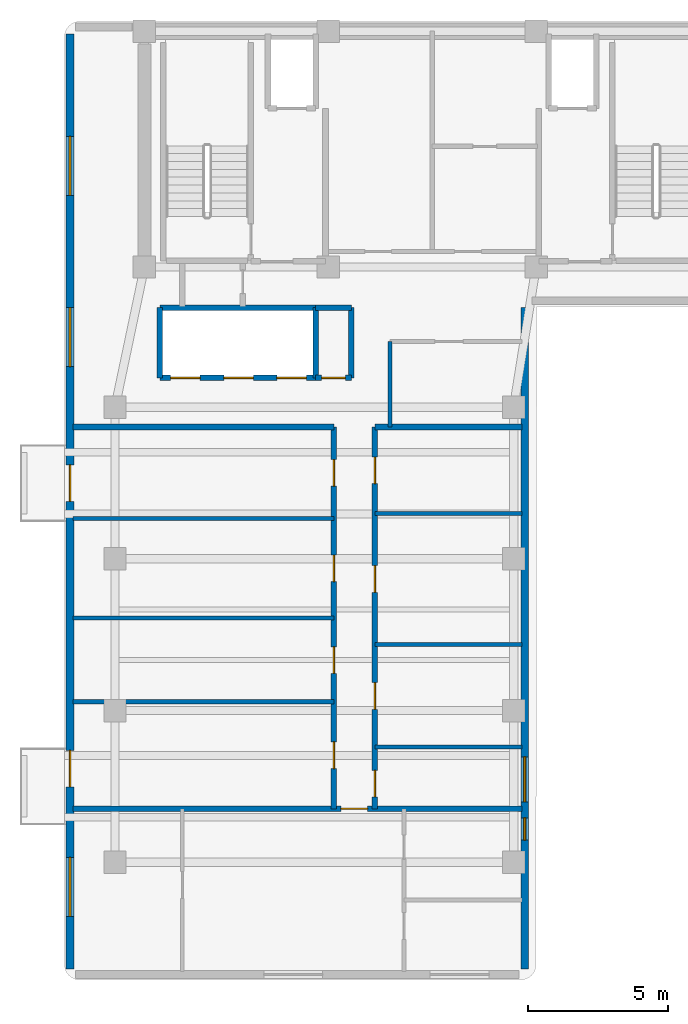
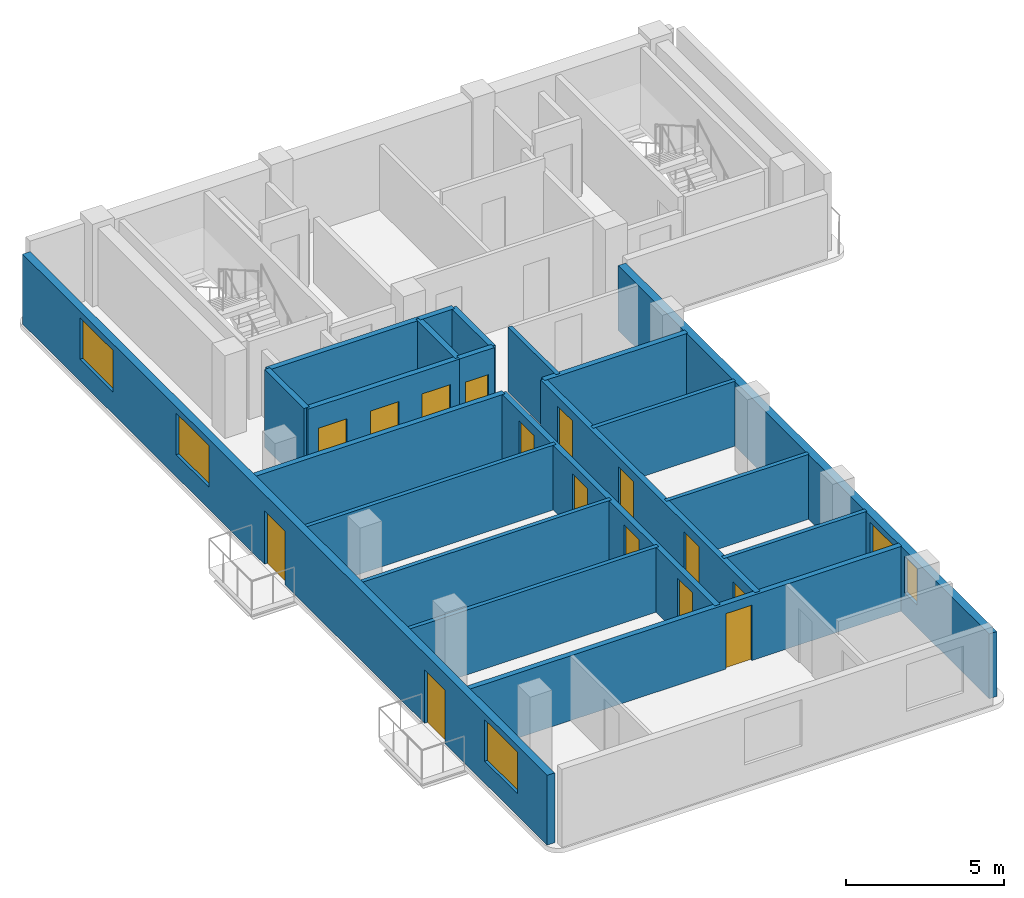
# One storey, part 2 of 5: 21 walls, 15 doors, 5 windows, 20 openings.
"""IFC4 building model written with IfcOpenShell, lengths in metres."""

from ifc_helpers import new_model, si_unit, direction, frame, frame_2d, origin, place, context, subcontext, project, spatial, rectangle, extrude, material, layer, layer_set, type_object, element, fill, save


model = new_model("IFC4")

# Units and contexts
model_context = context("Model", 3, precision=1e-05, world=origin(), true_north=direction((0.0, 1.0)))
body_context = subcontext(model_context, "Body", "Model", "MODEL_VIEW")
ifc_project = project(units=[si_unit("LENGTHUNIT", "METRE"), si_unit("AREAUNIT", "SQUARE_METRE"), si_unit("VOLUMEUNIT", "CUBIC_METRE"), si_unit("PLANEANGLEUNIT", "RADIAN"), si_unit("MASSUNIT", "GRAM", prefix="KILO")], contexts=[model_context])

# Site, building, storey
site_placement = place(None, origin())
site = spatial("IfcSite", under=ifc_project, at=site_placement, CompositionType="ELEMENT")
building_placement = place(site_placement, origin())
building = spatial("IfcBuilding", under=site, at=building_placement, Name="Kuzgunbayir Cultural Tower", CompositionType="ELEMENT")
storey_placement = place(building_placement, frame((0.0, 0.0, 228.0)))
storey = spatial("IfcBuildingStorey", under=building, at=storey_placement, Name="L67", CompositionType="ELEMENT", Elevation=228.0)

# Wall, openings, doors, windows
ifc_material_1 = material(Name="Anatolian Cream Limestone", Category="masonry")
ifc_layer_1 = layer(ifc_material_1, 0.280029296875)
ifc_layer_set_1 = layer_set([ifc_layer_1], Name="Anatolian Cream Limestone")
wall_type_1 = type_object("IfcWallType", Name="WAL-EXT-STONE-280", PredefinedType="STANDARD", material=ifc_layer_set_1)
wall_1_placement = place(storey_placement, frame((3.800048828125, 42.10009765625, 0.0), z_axis=(0.0, 0.0, 1.0), x_axis=(0.0, -1.0, 0.0)))
wall_1 = element("IfcWall", 1, at=wall_1_placement, inside=storey, type_object=wall_type_1, Name="L67 Wing A West Limestone Wall", PredefinedType="STANDARD", context=body_context, shape_type="SweptSolid", body=[
    extrude(rectangle(XDim=33.300048828125, YDim=0.280029296875, at=frame_2d((16.64990234375, 0.0))), origin(), (0.0, 0.0, 1.0), 2.7099609375),
])
opening_1_placement = place(wall_1_placement, frame((25.52001953125, 0.0, 0.0)))
opening_1 = element("IfcOpeningElement", 2, at=opening_1_placement, cuts=wall_1, Name="Opening BD-13", PredefinedType="OPENING", context=body_context, shape_type="SweptSolid", body=[
    extrude(rectangle(XDim=1.300048828125, YDim=2.080078125, at=frame_2d((0.64990234375, 1.0400390625))), frame((0.0, 0.14990234375, 0.0), z_axis=(0.0, -1.0, 0.0), x_axis=(1.0, 0.0, 0.0)), (0.0, 0.0, 1.0), 0.300048828125),
])
opening_2_placement = place(wall_1_placement, frame((15.35009765625, 0.0, 0.0)))
opening_2 = element("IfcOpeningElement", 3, at=opening_2_placement, cuts=wall_1, Name="Opening BD-13", PredefinedType="OPENING", context=body_context, shape_type="SweptSolid", body=[
    extrude(rectangle(XDim=1.300048828125, YDim=2.080078125, at=frame_2d((0.64990234375, 1.0400390625))), frame((0.0, 0.14990234375, 0.0), z_axis=(0.0, -1.0, 0.0), x_axis=(1.0, 0.0, 0.0)), (0.0, 0.0, 1.0), 0.300048828125),
])
opening_3_placement = place(wall_1_placement, frame((29.330078125, 0.0, 0.85009765625)))
opening_3 = element("IfcOpeningElement", 4, at=opening_3_placement, cuts=wall_1, Name="Opening WR-21", PredefinedType="OPENING", context=body_context, shape_type="SweptSolid", body=[
    extrude(rectangle(XDim=2.10009765625, YDim=1.610107421875, at=frame_2d((1.050048828125, 0.80517578125))), frame((0.0, 0.14990234375, 0.0), z_axis=(0.0, -1.0, 0.0), x_axis=(1.0, 0.0, 0.0)), (0.0, 0.0, 1.0), 0.300048828125),
])
opening_4_placement = place(wall_1_placement, frame((9.75, 0.0, 0.85009765625)))
opening_4 = element("IfcOpeningElement", 5, at=opening_4_placement, cuts=wall_1, Name="Opening WR-21", PredefinedType="OPENING", context=body_context, shape_type="SweptSolid", body=[
    extrude(rectangle(XDim=2.10009765625, YDim=1.610107421875, at=frame_2d((1.050048828125, 0.80517578125))), frame((0.0, 0.14990234375, 0.0), z_axis=(0.0, -1.0, 0.0), x_axis=(1.0, 0.0, 0.0)), (0.0, 0.0, 1.0), 0.300048828125),
])
opening_5_placement = place(wall_1_placement, frame((3.64990234375, 0.0, 0.85009765625)))
opening_5 = element("IfcOpeningElement", 6, at=opening_5_placement, cuts=wall_1, Name="Opening WR-21", PredefinedType="OPENING", context=body_context, shape_type="SweptSolid", body=[
    extrude(rectangle(XDim=2.10009765625, YDim=1.610107421875, at=frame_2d((1.050048828125, 0.80517578125))), frame((0.0, 0.14990234375, 0.0), z_axis=(0.0, -1.0, 0.0), x_axis=(1.0, 0.0, 0.0)), (0.0, 0.0, 1.0), 0.300048828125),
])
ifc_material_2 = material(Name="Thermally Broken Glazed Aluminium", Category="aluminium")
door_type_1 = type_object("IfcDoorType", Name="DR-BALCONY-135", OperationType="SLIDING_TO_LEFT", PredefinedType="DOOR", material=ifc_material_2)
door_1_placement = place(opening_1_placement, origin())
door_1 = element("IfcDoor", 7, at=door_1_placement, inside=storey, type_object=door_type_1, Name="L67 West Balcony Sliding Door BAL-L67-WA1", OperationType="SLIDING_TO_LEFT", OverallHeight=2.080078125, OverallWidth=1.300048828125, PredefinedType="DOOR", context=body_context, shape_type="SweptSolid", body=[
    extrude(rectangle(XDim=1.300048828125, YDim=2.080078125, at=frame_2d((0.64990234375, 1.0400390625))), frame((0.0, 0.02490234375, 0.0), z_axis=(0.0, -1.0, 0.0), x_axis=(1.0, 0.0, 0.0)), (0.0, 0.0, 1.0), 0.050048828125),
])
fill(opening_1, door_1)
door_2_placement = place(opening_2_placement, origin())
door_2 = element("IfcDoor", 8, at=door_2_placement, inside=storey, type_object=door_type_1, Name="L67 West Balcony Sliding Door BAL-L67-WA3", OperationType="SLIDING_TO_LEFT", OverallHeight=2.080078125, OverallWidth=1.300048828125, PredefinedType="DOOR", context=body_context, shape_type="SweptSolid", body=[
    extrude(rectangle(XDim=1.300048828125, YDim=2.080078125, at=frame_2d((0.64990234375, 1.0400390625))), frame((0.0, 0.02490234375, 0.0), z_axis=(0.0, -1.0, 0.0), x_axis=(1.0, 0.0, 0.0)), (0.0, 0.0, 1.0), 0.050048828125),
])
fill(opening_2, door_2)
ifc_material_3 = material(Name="Solar-Control Triple Glazing", Category="glass")
window_type_1 = type_object("IfcWindowType", Name="WIN-RESID-21", PartitioningType="SINGLE_PANEL", PredefinedType="WINDOW", material=ifc_material_3)
window_1_placement = place(opening_3_placement, origin())
window_1 = element("IfcWindow", 9, at=window_1_placement, inside=storey, type_object=window_type_1, Name="L67 WAW Facade Window 1", OverallHeight=1.610107421875, OverallWidth=2.10009765625, PartitioningType="SINGLE_PANEL", PredefinedType="WINDOW", context=body_context, shape_type="SweptSolid", body=[
    extrude(rectangle(XDim=2.10009765625, YDim=1.610107421875, at=frame_2d((1.050048828125, 0.80517578125))), frame((0.0, 0.030029296875, 0.0), z_axis=(0.0, -1.0, 0.0), x_axis=(1.0, 0.0, 0.0)), (0.0, 0.0, 1.0), 0.06005859375),
])
fill(opening_3, window_1)
window_2_placement = place(opening_4_placement, origin())
window_2 = element("IfcWindow", 10, at=window_2_placement, inside=storey, type_object=window_type_1, Name="L67 WAW Facade Window 5", OverallHeight=1.610107421875, OverallWidth=2.10009765625, PartitioningType="SINGLE_PANEL", PredefinedType="WINDOW", context=body_context, shape_type="SweptSolid", body=[
    extrude(rectangle(XDim=2.10009765625, YDim=1.610107421875, at=frame_2d((1.050048828125, 0.80517578125))), frame((0.0, 0.030029296875, 0.0), z_axis=(0.0, -1.0, 0.0), x_axis=(1.0, 0.0, 0.0)), (0.0, 0.0, 1.0), 0.06005859375),
])
fill(opening_4, window_2)
window_3_placement = place(opening_5_placement, origin())
window_3 = element("IfcWindow", 11, at=window_3_placement, inside=storey, type_object=window_type_1, Name="L67 WAW Facade Window 6", OverallHeight=1.610107421875, OverallWidth=2.10009765625, PartitioningType="SINGLE_PANEL", PredefinedType="WINDOW", context=body_context, shape_type="SweptSolid", body=[
    extrude(rectangle(XDim=2.10009765625, YDim=1.610107421875, at=frame_2d((1.050048828125, 0.80517578125))), frame((0.0, 0.030029296875, 0.0), z_axis=(0.0, -1.0, 0.0), x_axis=(1.0, 0.0, 0.0)), (0.0, 0.0, 1.0), 0.06005859375),
])
fill(opening_5, window_3)

# Wall, openings, windows
wall_2_placement = place(storey_placement, frame((20.0, 8.800048828125, 0.0), z_axis=(0.0, 0.0, 1.0), x_axis=(0.0, 1.0, 0.0)))
wall_2 = element("IfcWall", 12, at=wall_2_placement, inside=storey, type_object=wall_type_1, Name="L67 Wing A East Limestone Wall", PredefinedType="STANDARD", context=body_context, shape_type="SweptSolid", body=[
    extrude(rectangle(XDim=23.550048828125, YDim=0.280029296875, at=frame_2d((11.77490234375, 0.0))), origin(), (0.0, 0.0, 1.0), 2.510009765625),
])
opening_6_placement = place(wall_2_placement, frame((4.580078125, 0.0, 0.85009765625)))
opening_6 = element("IfcOpeningElement", 13, at=opening_6_placement, cuts=wall_2, Name="Opening WN-08", PredefinedType="OPENING", context=body_context, shape_type="SweptSolid", body=[
    extrude(rectangle(XDim=0.800048828125, YDim=1.409912109375, at=frame_2d((0.39990234375, 0.705078125))), frame((0.0, 0.14990234375, 0.0), z_axis=(0.0, -1.0, 0.0), x_axis=(1.0, 0.0, 0.0)), (0.0, 0.0, 1.0), 0.300048828125),
])
opening_7_placement = place(wall_2_placement, frame((5.949951171875, 0.0, 0.85009765625)))
opening_7 = element("IfcOpeningElement", 14, at=opening_7_placement, cuts=wall_2, Name="Opening WC-16", PredefinedType="OPENING", context=body_context, shape_type="SweptSolid", body=[
    extrude(rectangle(XDim=1.60009765625, YDim=1.409912109375, at=frame_2d((0.800048828125, 0.705078125))), frame((0.0, 0.14990234375, 0.0), z_axis=(0.0, -1.0, 0.0), x_axis=(1.0, 0.0, 0.0)), (0.0, 0.0, 1.0), 0.300048828125),
])
window_type_2 = type_object("IfcWindowType", Name="WIN-COMP-16", PartitioningType="SINGLE_PANEL", PredefinedType="WINDOW", material=ifc_material_3)
window_4_placement = place(opening_7_placement, origin())
window_4 = element("IfcWindow", 15, at=window_4_placement, inside=storey, type_object=window_type_2, Name="L67 WAE Facade Window 7", OverallHeight=1.409912109375, OverallWidth=1.60009765625, PartitioningType="SINGLE_PANEL", PredefinedType="WINDOW", context=body_context, shape_type="SweptSolid", body=[
    extrude(rectangle(XDim=1.60009765625, YDim=1.409912109375, at=frame_2d((0.800048828125, 0.705078125))), frame((0.0, 0.030029296875, 0.0), z_axis=(0.0, -1.0, 0.0), x_axis=(1.0, 0.0, 0.0)), (0.0, 0.0, 1.0), 0.06005859375),
])
fill(opening_7, window_4)
window_type_3 = type_object("IfcWindowType", Name="WIN-NARROW-80", PartitioningType="SINGLE_PANEL", PredefinedType="WINDOW", material=ifc_material_3)
window_5_placement = place(opening_6_placement, origin())
window_5 = element("IfcWindow", 16, at=window_5_placement, inside=storey, type_object=window_type_3, Name="L67 WAE Facade Window 4", OverallHeight=1.409912109375, OverallWidth=0.800048828125, PartitioningType="SINGLE_PANEL", PredefinedType="WINDOW", context=body_context, shape_type="SweptSolid", body=[
    extrude(rectangle(XDim=0.800048828125, YDim=1.409912109375, at=frame_2d((0.39990234375, 0.705078125))), frame((0.0, 0.030029296875, 0.0), z_axis=(0.0, -1.0, 0.0), x_axis=(1.0, 0.0, 0.0)), (0.0, 0.0, 1.0), 0.06005859375),
])
fill(opening_6, window_5)

# Walls
ifc_material_4 = material(Name="Acoustic Double-Stud Drywall", Category="gypsum")
ifc_layer_2 = layer(ifc_material_4, 0.14990234375)
ifc_layer_set_2 = layer_set([ifc_layer_2], Name="Acoustic Double-Stud Drywall")
wall_type_2 = type_object("IfcWallType", Name="WAL-PART-ACOUSTIC-150", PredefinedType="PARTITIONING", material=ifc_layer_set_2)
wall_3_placement = place(storey_placement, frame((15.199951171875, 28.10009765625, 0.0), z_axis=(0.0, 0.0, 1.0), x_axis=(0.0, 1.0, 0.0)))
element("IfcWall", 17, at=wall_3_placement, inside=storey, type_object=wall_type_2, Name="L67 Central Sky Salon West Wall", PredefinedType="PARTITIONING", context=body_context, shape_type="SweptSolid", body=[
    extrude(rectangle(XDim=3.0498046875, YDim=0.14990234375, at=frame_2d((1.52490234375, 0.0))), origin(), (0.0, 0.0, 1.0), 2.510009765625),
])
for number, where, z_axis, x_axis, name in (
    (18, (3.89990234375, 18.31005859375, 0.0), (0.0, 0.0, 1.0), (1.0, 0.0, 0.0), "L67 West Study Partition 1"),
    (19, (3.89990234375, 21.300048828125, 0.0), (0.0, 0.0, 1.0), (1.0, 0.0, 0.0), "L67 West Study Partition 2"),
    (20, (3.89990234375, 24.840087890625, 0.0), (0.0, 0.0, 1.0), (1.0, 0.0, 0.0), "L67 West Study Partition 3"),
):
    element("IfcWall", number, at=place(storey_placement, frame(where, z_axis=z_axis, x_axis=x_axis)), inside=storey, type_object=wall_type_2, Name=name, PredefinedType="PARTITIONING", context=body_context, shape_type="SweptSolid", body=[
        extrude(rectangle(XDim=9.300048828125, YDim=0.14990234375, at=frame_2d((4.64990234375, 0.0))), origin(), (0.0, 0.0, 1.0), 2.510009765625),
    ])
for number, where, z_axis, x_axis, name in (
    (21, (14.659912109375, 20.35009765625, 0.0), (0.0, 0.0, 1.0), (1.0, 0.0, 0.0), "L67 East Divider 1"),
    (22, (14.659912109375, 25.02001953125, 0.0), (0.0, 0.0, 1.0), (1.0, 0.0, 0.0), "L67 East Divider 2"),
):
    element("IfcWall", number, at=place(storey_placement, frame(where, z_axis=z_axis, x_axis=x_axis)), inside=storey, type_object=wall_type_2, Name=name, PredefinedType="PARTITIONING", context=body_context, shape_type="SweptSolid", body=[
        extrude(rectangle(XDim=5.239990234375, YDim=0.14990234375, at=frame_2d((2.6201171875, 0.0))), origin(), (0.0, 0.0, 1.0), 2.510009765625),
    ])

# Wall, opening, door
ifc_material_5 = material(Name="Aerated Concrete Blockwork", Category="masonry")
ifc_layer_3 = layer(ifc_material_5, 0.199951171875)
ifc_layer_set_3 = layer_set([ifc_layer_3], Name="Aerated Concrete Blockwork")
wall_type_3 = type_object("IfcWallType", Name="WAL-PART-FIRE-200", PredefinedType="PARTITIONING", material=ifc_layer_set_3)
wall_4_placement = place(storey_placement, frame((12.550048828125, 29.85009765625, 0.0), z_axis=(0.0, 0.0, 1.0), x_axis=(1.0, 0.0, 0.0)))
wall_4 = element("IfcWall", 23, at=wall_4_placement, inside=storey, type_object=wall_type_3, Name="L67 Center Core Switchgear South Wall", PredefinedType="PARTITIONING", context=body_context, shape_type="SweptSolid", body=[
    extrude(rectangle(XDim=1.27001953125, YDim=0.199951171875, at=frame_2d((0.635009765625, 0.0))), origin(), (0.0, 0.0, 1.0), 3.02001953125),
])
opening_8_placement = place(wall_4_placement, frame((0.2099609375, 0.0, 0.0)))
opening_8 = element("IfcOpeningElement", 24, at=opening_8_placement, cuts=wall_4, Name="Opening DR-RSR-60", PredefinedType="OPENING", context=body_context, shape_type="SweptSolid", body=[
    extrude(rectangle(XDim=0.85009765625, YDim=2.050048828125, at=frame_2d((0.425048828125, 1.02490234375))), frame((0.0, 0.10986328125, 0.0), z_axis=(0.0, -1.0, 0.0), x_axis=(1.0, 0.0, 0.0)), (0.0, 0.0, 1.0), 0.219970703125),
])
ifc_material_6 = material(Name="Steel Access Leaf", Category="steel")
door_type_2 = type_object("IfcDoorType", Name="DR-RISER-60", OperationType="NOTDEFINED", PredefinedType="DOOR", material=ifc_material_6)
door_3_placement = place(opening_8_placement, origin())
door_3 = element("IfcDoor", 25, at=door_3_placement, inside=storey, type_object=door_type_2, Name="L67 Electrical Switchgear Closet Door", OperationType="SINGLE_SWING_RIGHT", OverallHeight=2.050048828125, OverallWidth=0.85009765625, PredefinedType="DOOR", context=body_context, shape_type="SweptSolid", body=[
    extrude(rectangle(XDim=0.85009765625, YDim=2.050048828125, at=frame_2d((0.425048828125, 1.02490234375))), frame((0.0, 0.02490234375, 0.0), z_axis=(0.0, -1.0, 0.0), x_axis=(1.0, 0.0, 0.0)), (0.0, 0.0, 1.0), 0.050048828125),
])
fill(opening_8, door_3)

# Walls
wall_5_placement = place(storey_placement, frame((13.820068359375, 29.85009765625, 0.0), z_axis=(0.0, 0.0, 1.0), x_axis=(0.0, 1.0, 0.0)))
element("IfcWall", 26, at=wall_5_placement, inside=storey, type_object=wall_type_3, Name="L67 Center Core Switchgear East Wall", PredefinedType="PARTITIONING", context=body_context, shape_type="SweptSolid", body=[
    extrude(rectangle(XDim=2.5, YDim=0.199951171875, at=frame_2d((1.25, 0.0))), origin(), (0.0, 0.0, 1.0), 3.02001953125),
])
wall_6_placement = place(storey_placement, frame((12.550048828125, 32.35009765625, 0.0), z_axis=(0.0, 0.0, 1.0), x_axis=(1.0, 0.0, 0.0)))
element("IfcWall", 27, at=wall_6_placement, inside=storey, type_object=wall_type_3, Name="L67 Center Core Switchgear North Wall", PredefinedType="PARTITIONING", context=body_context, shape_type="SweptSolid", body=[
    extrude(rectangle(XDim=1.27001953125, YDim=0.199951171875, at=frame_2d((0.635009765625, 0.0))), origin(), (0.0, 0.0, 1.0), 3.02001953125),
])

# Wall, openings, doors
wall_7_placement = place(storey_placement, frame((13.199951171875, 14.5, 0.0), z_axis=(0.0, 0.0, 1.0), x_axis=(0.0, 1.0, 0.0)))
wall_7 = element("IfcWall", 28, at=wall_7_placement, inside=storey, type_object=wall_type_3, Name="L67 Wing A West Corridor Wall", PredefinedType="PARTITIONING", context=body_context, shape_type="SweptSolid", body=[
    extrude(rectangle(XDim=13.60009765625, YDim=0.199951171875, at=frame_2d((6.800048828125, 0.0))), origin(), (0.0, 0.0, 1.0), 2.510009765625),
])
opening_9_placement = place(wall_7_placement, frame((1.429931640625, 0.0, 0.0)))
opening_9 = element("IfcOpeningElement", 29, at=opening_9_placement, cuts=wall_7, Name="Opening DI-90", PredefinedType="OPENING", context=body_context, shape_type="SweptSolid", body=[
    extrude(rectangle(XDim=0.949951171875, YDim=2.14990234375, at=frame_2d((0.47509765625, 1.074951171875))), frame((0.0, 0.10986328125, 0.0), z_axis=(0.0, -1.0, 0.0), x_axis=(1.0, 0.0, 0.0)), (0.0, 0.0, 1.0), 0.219970703125),
])
opening_10_placement = place(wall_7_placement, frame((4.820068359375, 0.0, 0.0)))
opening_10 = element("IfcOpeningElement", 30, at=opening_10_placement, cuts=wall_7, Name="Opening DI-90", PredefinedType="OPENING", context=body_context, shape_type="SweptSolid", body=[
    extrude(rectangle(XDim=0.949951171875, YDim=2.14990234375, at=frame_2d((0.47509765625, 1.074951171875))), frame((0.0, 0.10986328125, 0.0), z_axis=(0.0, -1.0, 0.0), x_axis=(1.0, 0.0, 0.0)), (0.0, 0.0, 1.0), 0.219970703125),
])
opening_11_placement = place(wall_7_placement, frame((8.090087890625, 0.0, 0.0)))
opening_11 = element("IfcOpeningElement", 31, at=opening_11_placement, cuts=wall_7, Name="Opening DI-90", PredefinedType="OPENING", context=body_context, shape_type="SweptSolid", body=[
    extrude(rectangle(XDim=0.949951171875, YDim=2.14990234375, at=frame_2d((0.47509765625, 1.074951171875))), frame((0.0, 0.10986328125, 0.0), z_axis=(0.0, -1.0, 0.0), x_axis=(1.0, 0.0, 0.0)), (0.0, 0.0, 1.0), 0.219970703125),
])
opening_12_placement = place(wall_7_placement, frame((11.489990234375, 0.0, 0.0)))
opening_12 = element("IfcOpeningElement", 32, at=opening_12_placement, cuts=wall_7, Name="Opening DI-90", PredefinedType="OPENING", context=body_context, shape_type="SweptSolid", body=[
    extrude(rectangle(XDim=0.949951171875, YDim=2.14990234375, at=frame_2d((0.47509765625, 1.074951171875))), frame((0.0, 0.10986328125, 0.0), z_axis=(0.0, -1.0, 0.0), x_axis=(1.0, 0.0, 0.0)), (0.0, 0.0, 1.0), 0.219970703125),
])
ifc_material_7 = material(Name="Veneered Oak Single Leaf", Category="wood")
door_type_3 = type_object("IfcDoorType", Name="DR-INT-90", OperationType="NOTDEFINED", PredefinedType="DOOR", material=ifc_material_7)
door_4_placement = place(opening_9_placement, origin())
door_4 = element("IfcDoor", 33, at=door_4_placement, inside=storey, type_object=door_type_3, Name="L67 Seminar Boardroom W1 Door", OperationType="SINGLE_SWING_RIGHT", OverallHeight=2.14990234375, OverallWidth=0.949951171875, PredefinedType="DOOR", context=body_context, shape_type="SweptSolid", body=[
    extrude(rectangle(XDim=0.949951171875, YDim=2.14990234375, at=frame_2d((0.47509765625, 1.074951171875))), frame((0.0, 0.02490234375, 0.0), z_axis=(0.0, -1.0, 0.0), x_axis=(1.0, 0.0, 0.0)), (0.0, 0.0, 1.0), 0.050048828125),
])
fill(opening_9, door_4)
door_5_placement = place(opening_10_placement, origin())
door_5 = element("IfcDoor", 34, at=door_5_placement, inside=storey, type_object=door_type_3, Name="L67 Seminar Boardroom W2 Door", OperationType="SINGLE_SWING_LEFT", OverallHeight=2.14990234375, OverallWidth=0.949951171875, PredefinedType="DOOR", context=body_context, shape_type="SweptSolid", body=[
    extrude(rectangle(XDim=0.949951171875, YDim=2.14990234375, at=frame_2d((0.47509765625, 1.074951171875))), frame((0.0, 0.02490234375, 0.0), z_axis=(0.0, -1.0, 0.0), x_axis=(1.0, 0.0, 0.0)), (0.0, 0.0, 1.0), 0.050048828125),
])
fill(opening_10, door_5)
door_6_placement = place(opening_11_placement, origin())
door_6 = element("IfcDoor", 35, at=door_6_placement, inside=storey, type_object=door_type_3, Name="L67 Seminar Boardroom W3 Door", OperationType="SINGLE_SWING_RIGHT", OverallHeight=2.14990234375, OverallWidth=0.949951171875, PredefinedType="DOOR", context=body_context, shape_type="SweptSolid", body=[
    extrude(rectangle(XDim=0.949951171875, YDim=2.14990234375, at=frame_2d((0.47509765625, 1.074951171875))), frame((0.0, 0.02490234375, 0.0), z_axis=(0.0, -1.0, 0.0), x_axis=(1.0, 0.0, 0.0)), (0.0, 0.0, 1.0), 0.050048828125),
])
fill(opening_11, door_6)
door_7_placement = place(opening_12_placement, origin())
door_7 = element("IfcDoor", 36, at=door_7_placement, inside=storey, type_object=door_type_3, Name="L67 Art Publication Salon W4 Door", OperationType="SINGLE_SWING_LEFT", OverallHeight=2.14990234375, OverallWidth=0.949951171875, PredefinedType="DOOR", context=body_context, shape_type="SweptSolid", body=[
    extrude(rectangle(XDim=0.949951171875, YDim=2.14990234375, at=frame_2d((0.47509765625, 1.074951171875))), frame((0.0, 0.02490234375, 0.0), z_axis=(0.0, -1.0, 0.0), x_axis=(1.0, 0.0, 0.0)), (0.0, 0.0, 1.0), 0.050048828125),
])
fill(opening_12, door_7)

wall_8_placement = place(storey_placement, frame((14.659912109375, 14.5, 0.0), z_axis=(0.0, 0.0, 1.0), x_axis=(0.0, 1.0, 0.0)))
wall_8 = element("IfcWall", 37, at=wall_8_placement, inside=storey, type_object=wall_type_3, Name="L67 Wing A East Corridor Wall", PredefinedType="PARTITIONING", context=body_context, shape_type="SweptSolid", body=[
    extrude(rectangle(XDim=13.60009765625, YDim=0.199951171875, at=frame_2d((6.800048828125, 0.0))), origin(), (0.0, 0.0, 1.0), 2.510009765625),
])
opening_13_placement = place(wall_8_placement, frame((0.419921875, 0.0, 0.0)))
opening_13 = element("IfcOpeningElement", 38, at=opening_13_placement, cuts=wall_8, Name="Opening DW-95", PredefinedType="OPENING", context=body_context, shape_type="SweptSolid", body=[
    extrude(rectangle(XDim=0.949951171875, YDim=2.10009765625, at=frame_2d((0.47509765625, 1.050048828125))), frame((0.0, 0.10986328125, 0.0), z_axis=(0.0, -1.0, 0.0), x_axis=(1.0, 0.0, 0.0)), (0.0, 0.0, 1.0), 0.219970703125),
])
opening_14_placement = place(wall_8_placement, frame((3.5400390625, 0.0, 0.0)))
opening_14 = element("IfcOpeningElement", 39, at=opening_14_placement, cuts=wall_8, Name="Opening DI-90", PredefinedType="OPENING", context=body_context, shape_type="SweptSolid", body=[
    extrude(rectangle(XDim=0.949951171875, YDim=2.14990234375, at=frame_2d((0.47509765625, 1.074951171875))), frame((0.0, 0.10986328125, 0.0), z_axis=(0.0, -1.0, 0.0), x_axis=(1.0, 0.0, 0.0)), (0.0, 0.0, 1.0), 0.219970703125),
])
opening_15_placement = place(wall_8_placement, frame((7.7099609375, 0.0, 0.0)))
opening_15 = element("IfcOpeningElement", 40, at=opening_15_placement, cuts=wall_8, Name="Opening DI-90", PredefinedType="OPENING", context=body_context, shape_type="SweptSolid", body=[
    extrude(rectangle(XDim=0.949951171875, YDim=2.14990234375, at=frame_2d((0.47509765625, 1.074951171875))), frame((0.0, 0.10986328125, 0.0), z_axis=(0.0, -1.0, 0.0), x_axis=(1.0, 0.0, 0.0)), (0.0, 0.0, 1.0), 0.219970703125),
])
opening_16_placement = place(wall_8_placement, frame((11.580078125, 0.0, 0.0)))
opening_16 = element("IfcOpeningElement", 41, at=opening_16_placement, cuts=wall_8, Name="Opening DI-90", PredefinedType="OPENING", context=body_context, shape_type="SweptSolid", body=[
    extrude(rectangle(XDim=0.949951171875, YDim=2.14990234375, at=frame_2d((0.47509765625, 1.074951171875))), frame((0.0, 0.10986328125, 0.0), z_axis=(0.0, -1.0, 0.0), x_axis=(1.0, 0.0, 0.0)), (0.0, 0.0, 1.0), 0.219970703125),
])
door_8_placement = place(opening_14_placement, origin())
door_8 = element("IfcDoor", 42, at=door_8_placement, inside=storey, type_object=door_type_3, Name="L67 East Seminar Boardroom E1 Door", OperationType="SINGLE_SWING_LEFT", OverallHeight=2.14990234375, OverallWidth=0.949951171875, PredefinedType="DOOR", context=body_context, shape_type="SweptSolid", body=[
    extrude(rectangle(XDim=0.949951171875, YDim=2.14990234375, at=frame_2d((0.47509765625, 1.074951171875))), frame((0.0, 0.02490234375, 0.0), z_axis=(0.0, -1.0, 0.0), x_axis=(1.0, 0.0, 0.0)), (0.0, 0.0, 1.0), 0.050048828125),
])
fill(opening_14, door_8)
door_9_placement = place(opening_15_placement, origin())
door_9 = element("IfcDoor", 43, at=door_9_placement, inside=storey, type_object=door_type_3, Name="L67 East Curatorial Office E2 Door", OperationType="SINGLE_SWING_RIGHT", OverallHeight=2.14990234375, OverallWidth=0.949951171875, PredefinedType="DOOR", context=body_context, shape_type="SweptSolid", body=[
    extrude(rectangle(XDim=0.949951171875, YDim=2.14990234375, at=frame_2d((0.47509765625, 1.074951171875))), frame((0.0, 0.02490234375, 0.0), z_axis=(0.0, -1.0, 0.0), x_axis=(1.0, 0.0, 0.0)), (0.0, 0.0, 1.0), 0.050048828125),
])
fill(opening_15, door_9)
door_10_placement = place(opening_16_placement, origin())
door_10 = element("IfcDoor", 44, at=door_10_placement, inside=storey, type_object=door_type_3, Name="L67 East Seminar Boardroom E3 Door", OperationType="SINGLE_SWING_LEFT", OverallHeight=2.14990234375, OverallWidth=0.949951171875, PredefinedType="DOOR", context=body_context, shape_type="SweptSolid", body=[
    extrude(rectangle(XDim=0.949951171875, YDim=2.14990234375, at=frame_2d((0.47509765625, 1.074951171875))), frame((0.0, 0.02490234375, 0.0), z_axis=(0.0, -1.0, 0.0), x_axis=(1.0, 0.0, 0.0)), (0.0, 0.0, 1.0), 0.050048828125),
])
fill(opening_16, door_10)
ifc_material_8 = material(Name="Laminate Moisture-Resistant Leaf", Category="wood")
door_type_4 = type_object("IfcDoorType", Name="DR-WET-95", OperationType="NOTDEFINED", PredefinedType="DOOR", material=ifc_material_8)
door_11_placement = place(opening_13_placement, origin())
door_11 = element("IfcDoor", 45, at=door_11_placement, inside=storey, type_object=door_type_4, Name="L67 Visitor Accessible WC Door", OperationType="SINGLE_SWING_RIGHT", OverallHeight=2.10009765625, OverallWidth=0.949951171875, PredefinedType="DOOR", context=body_context, shape_type="SweptSolid", body=[
    extrude(rectangle(XDim=0.949951171875, YDim=2.10009765625, at=frame_2d((0.47509765625, 1.050048828125))), frame((0.0, 0.02490234375, 0.0), z_axis=(0.0, -1.0, 0.0), x_axis=(1.0, 0.0, 0.0)), (0.0, 0.0, 1.0), 0.050048828125),
])
fill(opening_13, door_11)

# Wall, opening, door
wall_9_placement = place(storey_placement, frame((3.89990234375, 14.5, 0.0), z_axis=(0.0, 0.0, 1.0), x_axis=(1.0, 0.0, 0.0)))
wall_9 = element("IfcWall", 46, at=wall_9_placement, inside=storey, type_object=wall_type_3, Name="L67 South Cross Partition", PredefinedType="PARTITIONING", context=body_context, shape_type="SweptSolid", body=[
    extrude(rectangle(XDim=16.0, YDim=0.199951171875, at=frame_2d((8.0, 0.0))), origin(), (0.0, 0.0, 1.0), 2.510009765625),
])
opening_17_placement = place(wall_9_placement, frame((9.550048828125, 0.0, 0.0)))
opening_17 = element("IfcOpeningElement", 47, at=opening_17_placement, cuts=wall_9, Name="Opening DR-APT-60", PredefinedType="OPENING", context=body_context, shape_type="SweptSolid", body=[
    extrude(rectangle(XDim=0.949951171875, YDim=2.14990234375, at=frame_2d((0.47509765625, 1.074951171875))), frame((0.0, 0.10986328125, 0.0), z_axis=(0.0, -1.0, 0.0), x_axis=(1.0, 0.0, 0.0)), (0.0, 0.0, 1.0), 0.219970703125),
])
ifc_material_9 = material(Name="Acoustic Fire Timber Leaf", Category="wood")
door_type_5 = type_object("IfcDoorType", Name="DR-APT-60", OperationType="NOTDEFINED", PredefinedType="DOOR", material=ifc_material_9)
door_12_placement = place(opening_17_placement, origin())
door_12 = element("IfcDoor", 48, at=door_12_placement, inside=storey, type_object=door_type_5, Name="L67 Apartment A Entrance", OperationType="SINGLE_SWING_RIGHT", OverallHeight=2.14990234375, OverallWidth=0.949951171875, PredefinedType="DOOR", context=body_context, shape_type="SweptSolid", body=[
    extrude(rectangle(XDim=0.949951171875, YDim=2.14990234375, at=frame_2d((0.47509765625, 1.074951171875))), frame((0.0, 0.02490234375, 0.0), z_axis=(0.0, -1.0, 0.0), x_axis=(1.0, 0.0, 0.0)), (0.0, 0.0, 1.0), 0.050048828125),
])
fill(opening_17, door_12)

# Walls
wall_10_placement = place(storey_placement, frame((3.89990234375, 28.10009765625, 0.0), z_axis=(0.0, 0.0, 1.0), x_axis=(1.0, 0.0, 0.0)))
element("IfcWall", 49, at=wall_10_placement, inside=storey, type_object=wall_type_3, Name="L67 North West Partition", PredefinedType="PARTITIONING", context=body_context, shape_type="SweptSolid", body=[
    extrude(rectangle(XDim=9.300048828125, YDim=0.199951171875, at=frame_2d((4.64990234375, 0.0))), origin(), (0.0, 0.0, 1.0), 2.510009765625),
])
wall_11_placement = place(storey_placement, frame((14.659912109375, 28.10009765625, 0.0), z_axis=(0.0, 0.0, 1.0), x_axis=(1.0, 0.0, 0.0)))
element("IfcWall", 50, at=wall_11_placement, inside=storey, type_object=wall_type_3, Name="L67 North East Partition", PredefinedType="PARTITIONING", context=body_context, shape_type="SweptSolid", body=[
    extrude(rectangle(XDim=5.239990234375, YDim=0.199951171875, at=frame_2d((2.6201171875, 0.0))), origin(), (0.0, 0.0, 1.0), 2.510009765625),
])
ifc_material_10 = material(Name="Moisture-Resistant Tile Partition", Category="gypsum")
ifc_layer_4 = layer(ifc_material_10, 0.14990234375)
ifc_layer_set_4 = layer_set([ifc_layer_4], Name="Moisture-Resistant Tile Partition")
wall_type_4 = type_object("IfcWallType", Name="WAL-PART-WET-150", PredefinedType="PARTITIONING", material=ifc_layer_set_4)
wall_12_placement = place(storey_placement, frame((14.659912109375, 16.699951171875, 0.0), z_axis=(0.0, 0.0, 1.0), x_axis=(1.0, 0.0, 0.0)))
element("IfcWall", 51, at=wall_12_placement, inside=storey, type_object=wall_type_4, Name="L67 East Accessible WC Wall", PredefinedType="PARTITIONING", context=body_context, shape_type="SweptSolid", body=[
    extrude(rectangle(XDim=5.239990234375, YDim=0.14990234375, at=frame_2d((2.6201171875, 0.0))), origin(), (0.0, 0.0, 1.0), 2.510009765625),
])

# Wall, openings, doors
ifc_material_11 = material(Name="Concrete C40/50", Category="concrete")
ifc_layer_5 = layer(ifc_material_11, 0.199951171875)
ifc_layer_set_5 = layer_set([ifc_layer_5], Name="Concrete C40/50")
wall_type_5 = type_object("IfcWallType", Name="WAL-SHAFT-200", PredefinedType="MOVABLE", material=ifc_layer_set_5)
wall_13_placement = place(storey_placement, frame((7.0, 29.85009765625, 0.0), z_axis=(0.0, 0.0, 1.0), x_axis=(1.0, 0.0, 0.0)))
wall_13 = element("IfcWall", 52, at=wall_13_placement, inside=storey, type_object=wall_type_5, Name="L67 High-Rise Lift Shaft South Wall", PredefinedType="MOVABLE", context=body_context, shape_type="SweptSolid", body=[
    extrude(rectangle(XDim=5.550048828125, YDim=0.199951171875, at=frame_2d((2.77490234375, 0.0))), origin(), (0.0, 0.0, 1.0), 3.02001953125),
])
opening_18_placement = place(wall_13_placement, frame((0.3798828125, 0.0, 0.0)))
opening_18 = element("IfcOpeningElement", 53, at=opening_18_placement, cuts=wall_13, Name="Opening LD", PredefinedType="OPENING", context=body_context, shape_type="SweptSolid", body=[
    extrude(rectangle(XDim=1.050048828125, YDim=2.14990234375, at=frame_2d((0.52490234375, 1.074951171875))), frame((0.0, 0.10986328125, 0.0), z_axis=(0.0, -1.0, 0.0), x_axis=(1.0, 0.0, 0.0)), (0.0, 0.0, 1.0), 0.219970703125),
])
opening_19_placement = place(wall_13_placement, frame((2.280029296875, 0.0, 0.0)))
opening_19 = element("IfcOpeningElement", 54, at=opening_19_placement, cuts=wall_13, Name="Opening LD", PredefinedType="OPENING", context=body_context, shape_type="SweptSolid", body=[
    extrude(rectangle(XDim=1.050048828125, YDim=2.14990234375, at=frame_2d((0.52490234375, 1.074951171875))), frame((0.0, 0.10986328125, 0.0), z_axis=(0.0, -1.0, 0.0), x_axis=(1.0, 0.0, 0.0)), (0.0, 0.0, 1.0), 0.219970703125),
])
opening_20_placement = place(wall_13_placement, frame((4.169921875, 0.0, 0.0)))
opening_20 = element("IfcOpeningElement", 55, at=opening_20_placement, cuts=wall_13, Name="Opening LD", PredefinedType="OPENING", context=body_context, shape_type="SweptSolid", body=[
    extrude(rectangle(XDim=1.050048828125, YDim=2.14990234375, at=frame_2d((0.52490234375, 1.074951171875))), frame((0.0, 0.10986328125, 0.0), z_axis=(0.0, -1.0, 0.0), x_axis=(1.0, 0.0, 0.0)), (0.0, 0.0, 1.0), 0.219970703125),
])
ifc_material_12 = material(Name="Brushed Stainless Steel", Category="steel")
door_type_6 = type_object("IfcDoorType", Name="DR-LIFT-LANDING", OperationType="SLIDING_TO_LEFT", PredefinedType="DOOR", material=ifc_material_12)
door_13_placement = place(opening_18_placement, origin())
door_13 = element("IfcDoor", 56, at=door_13_placement, inside=storey, type_object=door_type_6, Name="L67 Lift PH-1 Landing Door", OperationType="SLIDING_TO_LEFT", OverallHeight=2.14990234375, OverallWidth=1.050048828125, PredefinedType="DOOR", context=body_context, shape_type="SweptSolid", body=[
    extrude(rectangle(XDim=1.050048828125, YDim=2.14990234375, at=frame_2d((0.52490234375, 1.074951171875))), frame((0.0, 0.02490234375, 0.0), z_axis=(0.0, -1.0, 0.0), x_axis=(1.0, 0.0, 0.0)), (0.0, 0.0, 1.0), 0.050048828125),
])
fill(opening_18, door_13)
door_14_placement = place(opening_19_placement, origin())
door_14 = element("IfcDoor", 57, at=door_14_placement, inside=storey, type_object=door_type_6, Name="L67 Lift PH-2 Landing Door", OperationType="SLIDING_TO_LEFT", OverallHeight=2.14990234375, OverallWidth=1.050048828125, PredefinedType="DOOR", context=body_context, shape_type="SweptSolid", body=[
    extrude(rectangle(XDim=1.050048828125, YDim=2.14990234375, at=frame_2d((0.52490234375, 1.074951171875))), frame((0.0, 0.02490234375, 0.0), z_axis=(0.0, -1.0, 0.0), x_axis=(1.0, 0.0, 0.0)), (0.0, 0.0, 1.0), 0.050048828125),
])
fill(opening_19, door_14)
door_15_placement = place(opening_20_placement, origin())
door_15 = element("IfcDoor", 58, at=door_15_placement, inside=storey, type_object=door_type_6, Name="L67 Lift PH-3 Landing Door", OperationType="SLIDING_TO_LEFT", OverallHeight=2.14990234375, OverallWidth=1.050048828125, PredefinedType="DOOR", context=body_context, shape_type="SweptSolid", body=[
    extrude(rectangle(XDim=1.050048828125, YDim=2.14990234375, at=frame_2d((0.52490234375, 1.074951171875))), frame((0.0, 0.02490234375, 0.0), z_axis=(0.0, -1.0, 0.0), x_axis=(1.0, 0.0, 0.0)), (0.0, 0.0, 1.0), 0.050048828125),
])
fill(opening_20, door_15)

# Walls
wall_14_placement = place(storey_placement, frame((7.0, 32.35009765625, 0.0), z_axis=(0.0, 0.0, 1.0), x_axis=(1.0, 0.0, 0.0)))
element("IfcWall", 59, at=wall_14_placement, inside=storey, type_object=wall_type_5, Name="L67 High-Rise Lift Shaft North Wall", PredefinedType="MOVABLE", context=body_context, shape_type="SweptSolid", body=[
    extrude(rectangle(XDim=5.550048828125, YDim=0.199951171875, at=frame_2d((2.77490234375, 0.0))), origin(), (0.0, 0.0, 1.0), 3.02001953125),
])
for number, where, z_axis, x_axis, name in (
    (60, (7.0, 29.85009765625, 0.0), (0.0, 0.0, 1.0), (0.0, 1.0, 0.0), "L67 High-Rise Lift Shaft West Wall"),
    (61, (12.550048828125, 29.85009765625, 0.0), (0.0, 0.0, 1.0), (0.0, 1.0, 0.0), "L67 High-Rise Lift Shaft East Wall"),
):
    element("IfcWall", number, at=place(storey_placement, frame(where, z_axis=z_axis, x_axis=x_axis)), inside=storey, type_object=wall_type_5, Name=name, PredefinedType="MOVABLE", context=body_context, shape_type="SweptSolid", body=[
        extrude(rectangle(XDim=2.5, YDim=0.199951171875, at=frame_2d((1.25, 0.0))), origin(), (0.0, 0.0, 1.0), 3.02001953125),
    ])

save(model, "model.ifc")
